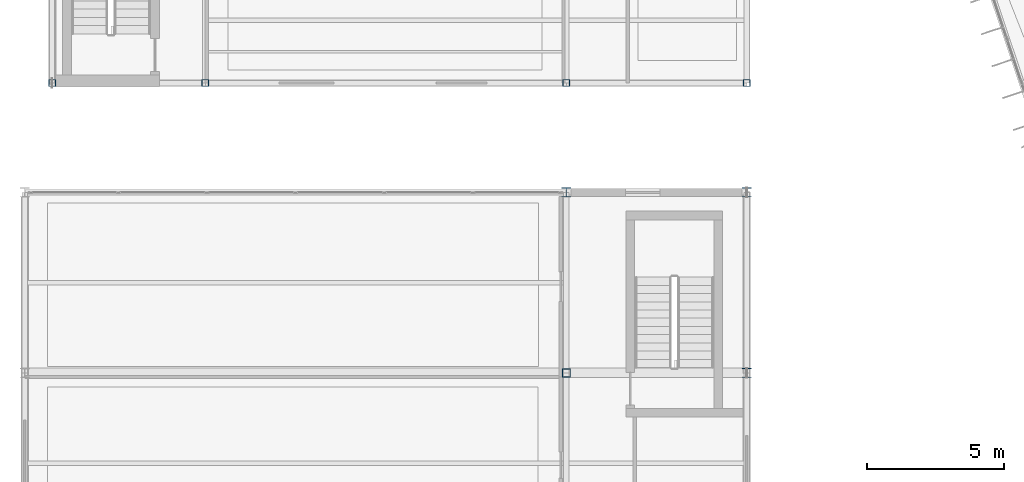
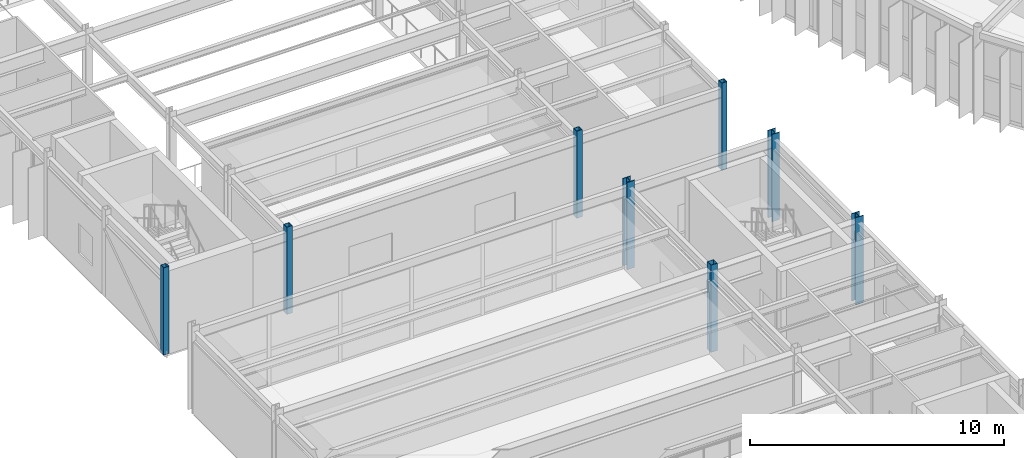
# One storey, part 2 of 148: 8 columns.
"""IFC4 building model written with IfcOpenShell, lengths in metres."""

from ifc_helpers import new_model, si_unit, direction, frame, origin, origin_2d, place, context, subcontext, project, spatial, hollow_rectangle, i_section, extrude, material, material_profile, profile_set, type_object, element, save


model = new_model("IFC4")

# Units and contexts
model_context = context("Model", 3, precision=1e-05, world=origin(), true_north=direction((0.0, 1.0)))
body_context = subcontext(model_context, "Body", "Model", "MODEL_VIEW")
ifc_project = project(units=[si_unit("LENGTHUNIT", "METRE"), si_unit("AREAUNIT", "SQUARE_METRE"), si_unit("VOLUMEUNIT", "CUBIC_METRE"), si_unit("PLANEANGLEUNIT", "RADIAN"), si_unit("MASSUNIT", "GRAM", prefix="KILO")], contexts=[model_context])

# Site, building, storey
site_placement = place(None, origin())
site = spatial("IfcSite", under=ifc_project, at=site_placement, CompositionType="ELEMENT")
building_placement = place(site_placement, origin())
building = spatial("IfcBuilding", under=site, at=building_placement, Name="Karori Crest Natural Sciences Institute", CompositionType="ELEMENT")
storey_placement = place(building_placement, frame((0.0, 0.0, 4.89990234375)))
storey = spatial("IfcBuildingStorey", under=building, at=storey_placement, Name="L01", CompositionType="ELEMENT", Elevation=4.89990234375)

# Columns
ifc_material_1 = material(Name="Structural steel AS/NZS 3679.1 Grade 350", Category="steel")
ifc_material_profile_1 = material_profile(ifc_material_1, i_section(OverallWidth=0.35009765625, OverallDepth=0.35009765625, WebThickness=0.02001953125, FlangeThickness=0.031982421875, FilletRadius=0.01611328125, at=origin_2d()), Name="350WC280")
ifc_profile_set_1 = profile_set([ifc_material_profile_1], Name="Structural steel AS/NZS 3679.1 Grade 350")
column_type_1 = type_object("IfcColumnType", Name="CT-03-EL", PredefinedType="COLUMN", material=ifc_profile_set_1)
for number, where, z_axis, x_axis, name in (
    (1, (20.60009765625, 27.199951171875, 0.0), (0.0, 0.0, 1.0), (1.0, 0.0, 0.0), "Column C-0507"),
    (2, (27.199951171875, 20.60009765625, 0.0), (0.0, 0.0, 1.0), (1.0, 0.0, 0.0), "Column C-0523"),
    (3, (27.199951171875, 27.199951171875, 0.0), (0.0, 0.0, 1.0), (1.0, 0.0, 0.0), "Column C-0527"),
):
    element("IfcColumn", number, at=place(storey_placement, frame(where, z_axis=z_axis, x_axis=x_axis)), inside=storey, type_object=column_type_1, Name=name, PredefinedType="COLUMN", context=body_context, shape_type="SweptSolid", body=[
        extrude(i_section(OverallWidth=0.35009765625, OverallDepth=0.35009765625, WebThickness=0.02001953125, FlangeThickness=0.031982421875, FilletRadius=0.01611328125, at=origin_2d()), origin(), (0.0, 0.0, 1.0), 4.2001953125),
    ])
ifc_material_2 = material(Name="Hollow structural steel AS/NZS 1163 Grade C350", Category="steel")
ifc_material_profile_2 = material_profile(ifc_material_2, hollow_rectangle(XDim=0.300048828125, YDim=0.300048828125, WallThickness=0.012451171875, at=origin_2d()), Name="SHS300x300x12.5")
ifc_profile_set_2 = profile_set([ifc_material_profile_2], Name="Hollow structural steel AS/NZS 1163 Grade C350")
column_type_2 = type_object("IfcColumnType", Name="CT-11", PredefinedType="COLUMN", material=ifc_profile_set_2)
column_placement = place(storey_placement, frame((20.60009765625, 20.60009765625, 0.0), z_axis=(0.0, 0.0, 1.0), x_axis=(1.0, 0.0, 0.0)))
element("IfcColumn", 4, at=column_placement, inside=storey, type_object=column_type_2, Name="Column C-0503", PredefinedType="COLUMN", context=body_context, shape_type="SweptSolid", body=[
    extrude(hollow_rectangle(XDim=0.300048828125, YDim=0.300048828125, WallThickness=0.012451171875, at=origin_2d()), origin(), (0.0, 0.0, 1.0), 4.2001953125),
])
ifc_material_profile_3 = material_profile(ifc_material_2, hollow_rectangle(XDim=0.25, YDim=0.25, WallThickness=0.012451171875, at=origin_2d()), Name="SHS250x250x12.5")
ifc_profile_set_3 = profile_set([ifc_material_profile_3], Name="Hollow structural steel AS/NZS 1163 Grade C350")
column_type_3 = type_object("IfcColumnType", Name="CT-12", PredefinedType="COLUMN", material=ifc_profile_set_3)
for number, where, z_axis, x_axis, name in (
    (5, (1.800048828125, 31.199951171875, 0.0), (0.0, 0.0, 1.0), (1.0, 0.0, 0.0), "Column C-0531"),
    (6, (7.39990234375, 31.199951171875, 0.0), (0.0, 0.0, 1.0), (1.0, 0.0, 0.0), "Column C-0576"),
    (7, (20.60009765625, 31.199951171875, 0.0), (0.0, 0.0, 1.0), (1.0, 0.0, 0.0), "Column C-0621"),
    (8, (27.199951171875, 31.199951171875, 0.0), (0.0, 0.0, 1.0), (1.0, 0.0, 0.0), "Column C-0666"),
):
    element("IfcColumn", number, at=place(storey_placement, frame(where, z_axis=z_axis, x_axis=x_axis)), inside=storey, type_object=column_type_3, Name=name, PredefinedType="COLUMN", context=body_context, shape_type="SweptSolid", body=[
        extrude(hollow_rectangle(XDim=0.25, YDim=0.25, WallThickness=0.012451171875, at=origin_2d()), origin(), (0.0, 0.0, 1.0), 4.2001953125),
    ])

save(model, "model.ifc")
